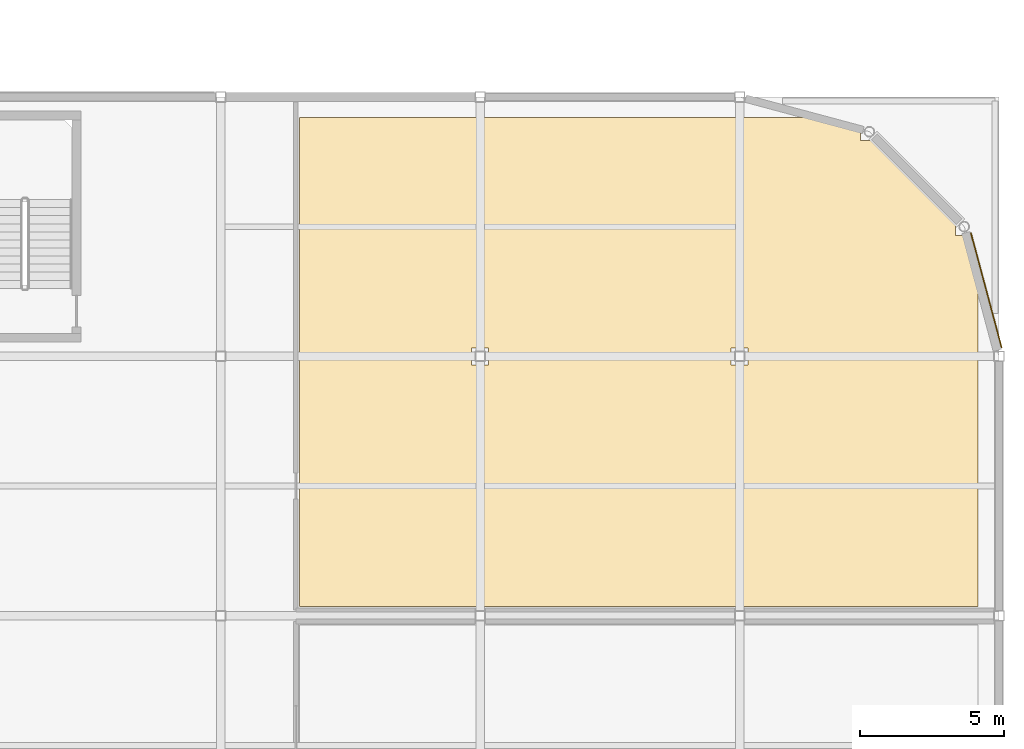
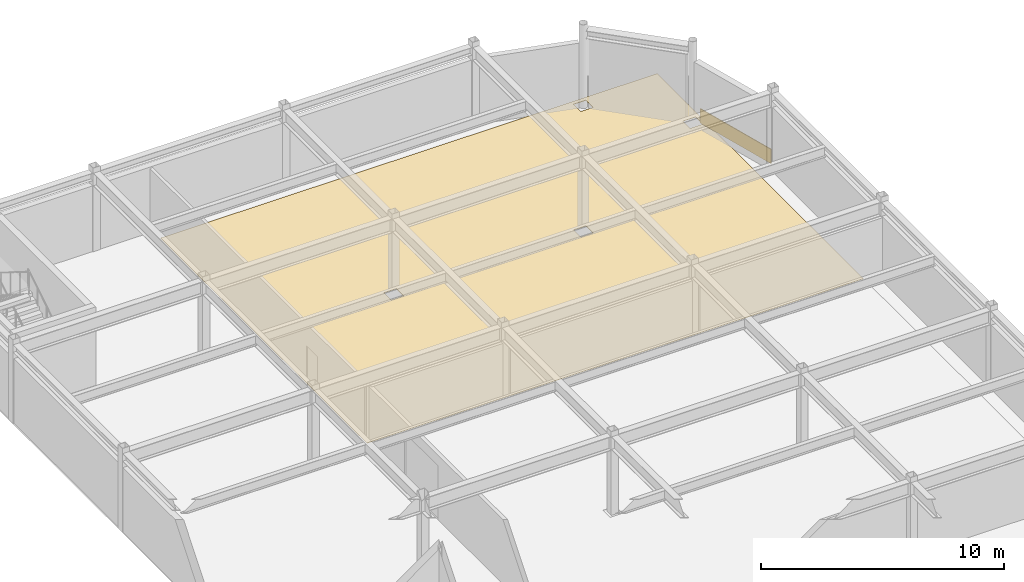
# One storey, part 40 of 40: 2 coverings.
"""IFC4 building model written with IfcOpenShell, lengths in metres."""

from ifc_helpers import new_model, si_unit, direction, frame, origin, origin_2d, place, context, subcontext, project, spatial, polyline, rectangle, outline, extrude, material, layer, layer_set, type_object, element, save


model = new_model("IFC4")

# Units and contexts
model_context = context("Model", 3, precision=1e-05, world=origin(), true_north=direction((0.0, 1.0)))
body_context = subcontext(model_context, "Body", "Model", "MODEL_VIEW")
ifc_project = project(units=[si_unit("LENGTHUNIT", "METRE"), si_unit("AREAUNIT", "SQUARE_METRE"), si_unit("VOLUMEUNIT", "CUBIC_METRE"), si_unit("PLANEANGLEUNIT", "RADIAN"), si_unit("MASSUNIT", "GRAM", prefix="KILO")], contexts=[model_context])

# Site, building, storey
site_placement = place(None, origin())
site = spatial("IfcSite", under=ifc_project, at=site_placement, CompositionType="ELEMENT")
building_placement = place(site_placement, origin())
building = spatial("IfcBuilding", under=site, at=building_placement, Name="Suzunagisa Mobility Hub", CompositionType="ELEMENT")
storey_placement = place(building_placement, frame((0.0, 0.0, 21.89990234375)))
storey = spatial("IfcBuildingStorey", under=building, at=storey_placement, Name="L05", CompositionType="ELEMENT", Elevation=21.89990234375)

# Coverings
ifc_material_1 = material(Name="Polished Aggregate Terrazzo Finish")
ifc_layer_1 = layer(ifc_material_1, 0.02001953125)
ifc_layer_set_1 = layer_set([ifc_layer_1], Name="Polished Aggregate Terrazzo Finish")
covering_type_1 = type_object("IfcCoveringType", Name="Polished Terrazzo Heavy-Traffic Flooring FLR-01", PredefinedType="FLOORING", material=ifc_layer_set_1)
covering_1_placement = place(storey_placement, origin())
element("IfcCovering", 1, at=covering_1_placement, inside=storey, type_object=covering_type_1, Name="L05 Cardio and Strength Conditioning Fitness Hall Terrazzo Flooring", PredefinedType="FLOORING", context=body_context, shape_type="SweptSolid", body=[
    extrude(outline(polyline([(179.280029296875, 80.320068359375), (155.719970703125, 80.320068359375), (155.719970703125, 97.280029296875), (179.280029296875, 97.280029296875), (179.280029296875, 80.320068359375)]), holes=[polyline([(162.294921875, 88.705078125), (162.294921875, 89.294921875), (161.705078125, 89.294921875), (161.705078125, 88.705078125), (162.294921875, 88.705078125)]), polyline([(170.705078125, 89.294921875), (170.705078125, 88.705078125), (171.294921875, 88.705078125), (171.294921875, 89.294921875), (170.705078125, 89.294921875)]), polyline([(175.7978515625, 97.092041015625), (175.2021484375, 97.092041015625), (175.2021484375, 96.496337890625), (175.7978515625, 96.496337890625), (175.7978515625, 97.092041015625)]), polyline([(179.092041015625, 93.2021484375), (179.092041015625, 93.7978515625), (178.496337890625, 93.7978515625), (178.496337890625, 93.2021484375), (179.092041015625, 93.2021484375)])]), origin(), (0.0, 0.0, 1.0), 0.02001953125),
])
ifc_material_2 = material(Name="Vitreous Porcelain Enamel Aluminum Cladding", Category="aluminium")
ifc_layer_2 = layer(ifc_material_2, 0.034912109375)
ifc_layer_set_2 = layer_set([ifc_layer_2], Name="Vitreous Porcelain Enamel Aluminum Cladding")
covering_type_2 = type_object("IfcCoveringType", Name="Porcelain Enamel Spandrel Cladding Band CLD-01", PredefinedType="CLADDING", material=ifc_layer_set_2)
covering_2_placement = place(storey_placement, frame((179.559326171875, 91.291748046875, 0.06005859375), z_axis=(0.0, 0.0, 1.0), x_axis=(-0.258806646451, 0.965929148412, 0.0)))
element("IfcCovering", 2, at=covering_2_placement, inside=storey, type_object=covering_type_2, Name="L05 Porcelain Spandrel Cladding Band CLD-49", PredefinedType="CLADDING", context=body_context, shape_type="SweptSolid", body=[
    extrude(rectangle(XDim=4.126708984375, YDim=0.034912109375, at=origin_2d()), origin(), (0.0, 0.0, 1.0), 0.719970703125),
])

save(model, "model.ifc")
